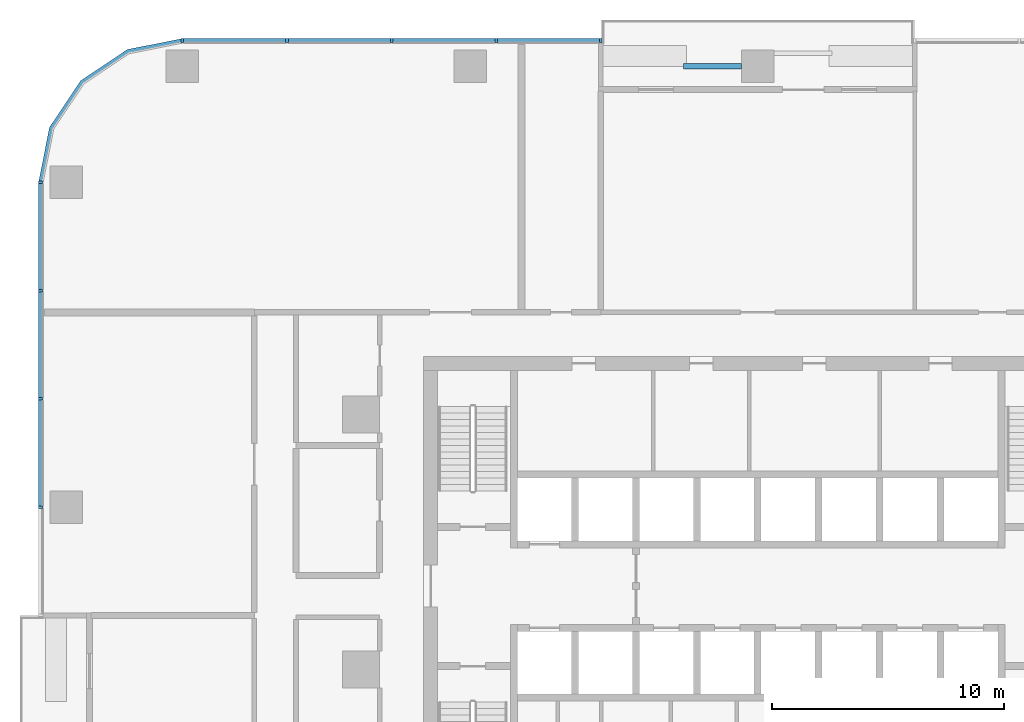
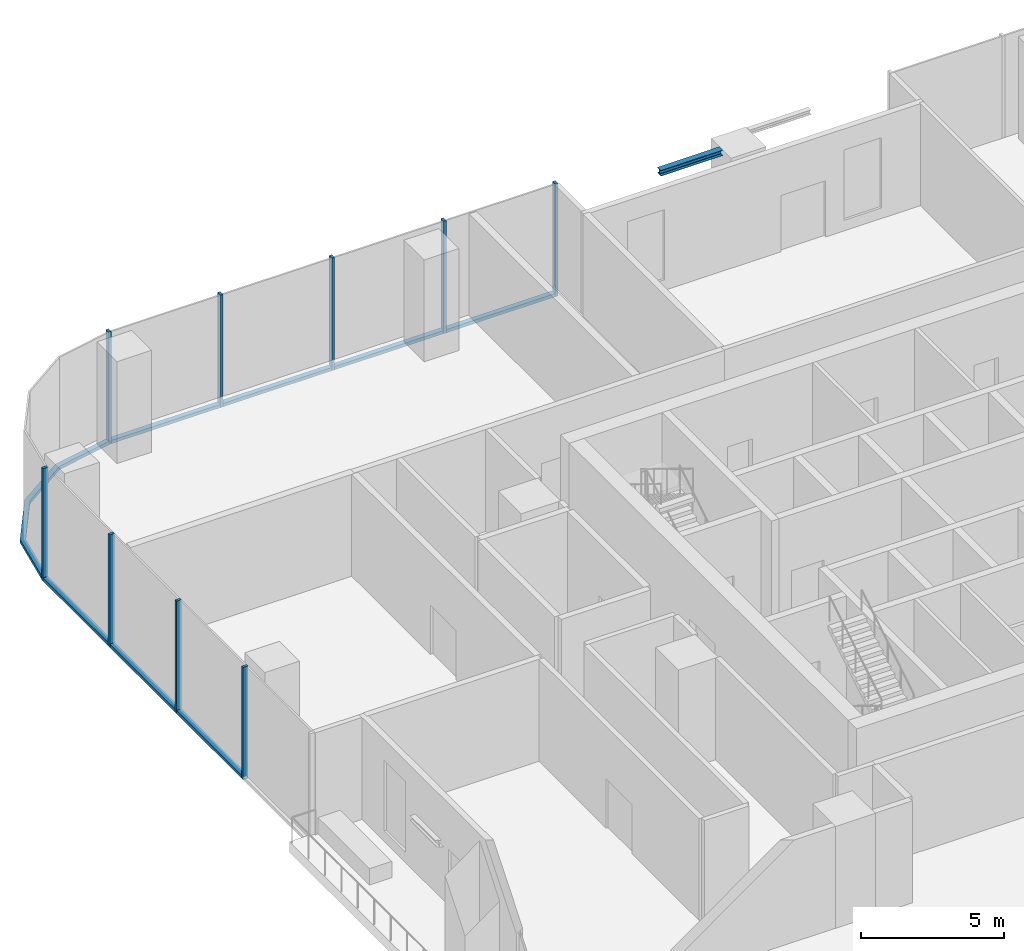
# One storey, part 4 of 14: 17 members, 1 beam, 3 elements without a shape of their own.
"""IFC4 building model written with IfcOpenShell, lengths in metres."""

from ifc_helpers import new_model, si_unit, direction, frame, origin, origin_2d, place, context, subcontext, project, spatial, polyline, rectangle, i_section, outline, extrude, material, material_profile, profile_set, type_object, element, aggregate, save


model = new_model("IFC4")

# Units and contexts
model_context = context("Model", 3, precision=1e-05, world=origin(), true_north=direction((0.0, 1.0)))
body_context = subcontext(model_context, "Body", "Model", "MODEL_VIEW")
ifc_project = project(units=[si_unit("LENGTHUNIT", "METRE"), si_unit("AREAUNIT", "SQUARE_METRE"), si_unit("VOLUMEUNIT", "CUBIC_METRE"), si_unit("PLANEANGLEUNIT", "RADIAN"), si_unit("MASSUNIT", "GRAM", prefix="KILO")], contexts=[model_context])

# Site, building, storey
site_placement = place(None, origin())
site = spatial("IfcSite", under=ifc_project, at=site_placement, CompositionType="ELEMENT")
building_placement = place(site_placement, origin())
building = spatial("IfcBuilding", under=site, at=building_placement, Name="Mopane Tessera Tower", CompositionType="ELEMENT")
storey_placement = place(building_placement, frame((0.0, 0.0, 40.60009765625)))
storey = spatial("IfcBuildingStorey", under=building, at=storey_placement, Name="L07", CompositionType="ELEMENT", Elevation=40.60009765625)

# Curtain wall, members
ifc_material_1 = material(Name="Aluminium frame", Category="aluminium")
curtain_wall_type = type_object("IfcCurtainWallType", Name="Lower tower unitised wall", PredefinedType="NOTDEFINED", material=ifc_material_1)
curtain_wall_1_placement = place(storey_placement, origin())
curtain_wall_1 = element("IfcCurtainWall", 1, at=curtain_wall_1_placement, inside=storey, type_object=curtain_wall_type, Name="e:cw:L07:N:7", PredefinedType="NOTDEFINED")
ifc_material_2 = material(Name="Aluminium frame", Category="aluminium")
ifc_material_profile_1 = material_profile(ifc_material_2, rectangle(XDim=0.110107421875, YDim=0.199951171875, at=origin_2d()))
ifc_profile_set_1 = profile_set([ifc_material_profile_1], Name="Aluminium frame")
member_type_1 = type_object("IfcMemberType", Name="Aluminium mullion 110 x 200", PredefinedType="MULLION", material=ifc_profile_set_1)
member_1_placement = place(storey_placement, frame((-6.763671875, 27.10009765625, -0.4501953125), z_axis=(0.0, 0.0, 1.0), x_axis=(-1.0, 0.0, 0.0)))
member_1 = element("IfcMember", 2, at=member_1_placement, type_object=member_type_1, Name="e:cw:L07:N:7:mu7", PredefinedType="MULLION", context=body_context, shape_type="SweptSolid", body=[
    extrude(rectangle(XDim=0.110107421875, YDim=0.199951171875, at=origin_2d()), origin(), (0.0, 0.0, 1.0), 4.800048828125),
])
member_2_placement = place(storey_placement, frame((-11.272705078125, 27.10009765625, -0.4501953125), z_axis=(0.0, 0.0, 1.0), x_axis=(-1.0, 0.0, 0.0)))
member_2 = element("IfcMember", 3, at=member_2_placement, type_object=member_type_1, Name="e:cw:L07:N:7:mu8", PredefinedType="MULLION", context=body_context, shape_type="SweptSolid", body=[
    extrude(rectangle(XDim=0.110107421875, YDim=0.199951171875, at=origin_2d()), origin(), (0.0, 0.0, 1.0), 4.800048828125),
])
member_3_placement = place(storey_placement, frame((-15.78173828125, 27.10009765625, -0.4501953125), z_axis=(0.0, 0.0, 1.0), x_axis=(-1.0, 0.0, 0.0)))
member_3 = element("IfcMember", 4, at=member_3_placement, type_object=member_type_1, Name="e:cw:L07:N:7:mu9", PredefinedType="MULLION", context=body_context, shape_type="SweptSolid", body=[
    extrude(rectangle(XDim=0.110107421875, YDim=0.199951171875, at=origin_2d()), origin(), (0.0, 0.0, 1.0), 4.800048828125),
])
member_4_placement = place(storey_placement, frame((-20.291015625, 27.10009765625, -0.4501953125), z_axis=(0.0, 0.0, 1.0), x_axis=(-1.0, 0.0, 0.0)))
member_4 = element("IfcMember", 5, at=member_4_placement, type_object=member_type_1, Name="e:cw:L07:N:7:mu10", PredefinedType="MULLION", context=body_context, shape_type="SweptSolid", body=[
    extrude(rectangle(XDim=0.110107421875, YDim=0.199951171875, at=origin_2d()), origin(), (0.0, 0.0, 1.0), 4.800048828125),
])
member_5_placement = place(storey_placement, frame((-24.800048828125, 27.10009765625, -0.4501953125), z_axis=(0.0, 0.0, 1.0), x_axis=(-1.0, 0.0, 0.0)))
member_5 = element("IfcMember", 6, at=member_5_placement, type_object=member_type_1, Name="e:cw:L07:N:7:mu11", PredefinedType="MULLION", context=body_context, shape_type="SweptSolid", body=[
    extrude(rectangle(XDim=0.110107421875, YDim=0.199951171875, at=origin_2d()), origin(), (0.0, 0.0, 1.0), 4.800048828125),
])

curtain_wall_2_placement = place(storey_placement, origin())
curtain_wall_2 = element("IfcCurtainWall", 7, at=curtain_wall_2_placement, inside=storey, type_object=curtain_wall_type, Name="e:cw:L07:W:0", PredefinedType="NOTDEFINED")
member_6_placement = place(storey_placement, frame((-30.89990234375, 21.0, -0.4501953125), z_axis=(0.0, 0.0, 1.0), x_axis=(0.0, -1.0, 0.0)))
member_6 = element("IfcMember", 8, at=member_6_placement, type_object=member_type_1, Name="e:cw:L07:W:0:mu0", PredefinedType="MULLION", context=body_context, shape_type="SweptSolid", body=[
    extrude(rectangle(XDim=0.110107421875, YDim=0.199951171875, at=origin_2d()), origin(), (0.0, 0.0, 1.0), 4.800048828125),
])
member_7_placement = place(storey_placement, frame((-30.89990234375, 16.333251953125, -0.4501953125), z_axis=(0.0, 0.0, 1.0), x_axis=(0.0, -1.0, 0.0)))
member_7 = element("IfcMember", 9, at=member_7_placement, type_object=member_type_1, Name="e:cw:L07:W:0:mu1", PredefinedType="MULLION", context=body_context, shape_type="SweptSolid", body=[
    extrude(rectangle(XDim=0.110107421875, YDim=0.199951171875, at=origin_2d()), origin(), (0.0, 0.0, 1.0), 4.800048828125),
])
member_8_placement = place(storey_placement, frame((-30.89990234375, 11.666748046875, -0.4501953125), z_axis=(0.0, 0.0, 1.0), x_axis=(0.0, -1.0, 0.0)))
member_8 = element("IfcMember", 10, at=member_8_placement, type_object=member_type_1, Name="e:cw:L07:W:0:mu2", PredefinedType="MULLION", context=body_context, shape_type="SweptSolid", body=[
    extrude(rectangle(XDim=0.110107421875, YDim=0.199951171875, at=origin_2d()), origin(), (0.0, 0.0, 1.0), 4.800048828125),
])
member_9_placement = place(storey_placement, frame((-30.89990234375, 7.0, -0.4501953125), z_axis=(0.0, 0.0, 1.0), x_axis=(0.0, -1.0, 0.0)))
member_9 = element("IfcMember", 11, at=member_9_placement, type_object=member_type_1, Name="e:cw:L07:W:0:mu3", PredefinedType="MULLION", context=body_context, shape_type="SweptSolid", body=[
    extrude(rectangle(XDim=0.110107421875, YDim=0.199951171875, at=origin_2d()), origin(), (0.0, 0.0, 1.0), 4.800048828125),
])

# Member
ifc_material_3 = material(Name="Aluminium frame", Category="aluminium")
ifc_material_profile_2 = material_profile(ifc_material_3, rectangle(XDim=0.199951171875, YDim=0.139892578125, at=origin_2d()))
ifc_profile_set_2 = profile_set([ifc_material_profile_2], Name="Aluminium frame")
member_type_2 = type_object("IfcMemberType", Name="Aluminium transom 200 x 140", PredefinedType="USERDEFINED", material=ifc_profile_set_2)
member_10_placement = place(storey_placement, frame((-6.818603515625, 27.10009765625, -0.380126953125), z_axis=(-1.0, 0.0, 0.0), x_axis=(0.0, -1.0, 0.0)))
member_10 = element("IfcMember", 12, at=member_10_placement, type_object=member_type_2, Name="e:cw:L07:N:7:tr7", ObjectType="TRANSOM", PredefinedType="USERDEFINED", context=body_context, shape_type="SweptSolid", body=[
    extrude(rectangle(XDim=0.199951171875, YDim=0.139892578125, at=origin_2d()), origin(), (0.0, 0.0, 1.0), 4.399169921875),
])

member_11_placement = place(storey_placement, frame((-11.32763671875, 27.10009765625, -0.380126953125), z_axis=(-1.0, 0.0, 0.0), x_axis=(0.0, -1.0, 0.0)))
member_11 = element("IfcMember", 13, at=member_11_placement, type_object=member_type_2, Name="e:cw:L07:N:7:tr8", ObjectType="TRANSOM", PredefinedType="USERDEFINED", context=body_context, shape_type="SweptSolid", body=[
    extrude(rectangle(XDim=0.199951171875, YDim=0.139892578125, at=origin_2d()), origin(), (0.0, 0.0, 1.0), 4.399169921875),
])

member_12_placement = place(storey_placement, frame((-15.8369140625, 27.10009765625, -0.380126953125), z_axis=(-1.0, 0.0, 0.0), x_axis=(0.0, -1.0, 0.0)))
member_12 = element("IfcMember", 14, at=member_12_placement, type_object=member_type_2, Name="e:cw:L07:N:7:tr9", ObjectType="TRANSOM", PredefinedType="USERDEFINED", context=body_context, shape_type="SweptSolid", body=[
    extrude(rectangle(XDim=0.199951171875, YDim=0.139892578125, at=origin_2d()), origin(), (0.0, 0.0, 1.0), 4.39892578125),
])

member_13_placement = place(storey_placement, frame((-20.345947265625, 27.10009765625, -0.380126953125), z_axis=(-1.0, 0.0, 0.0), x_axis=(0.0, -1.0, 0.0)))
member_13 = element("IfcMember", 15, at=member_13_placement, type_object=member_type_2, Name="e:cw:L07:N:7:tr10", ObjectType="TRANSOM", PredefinedType="USERDEFINED", context=body_context, shape_type="SweptSolid", body=[
    extrude(rectangle(XDim=0.199951171875, YDim=0.139892578125, at=origin_2d()), origin(), (0.0, 0.0, 1.0), 4.399169921875),
])

aggregate(curtain_wall_1, [member_1, member_2, member_3, member_4, member_5, member_10, member_11, member_12, member_13])

# Curtain wall, member
curtain_wall_3_placement = place(storey_placement, origin())
curtain_wall_3 = element("IfcCurtainWall", 16, at=curtain_wall_3_placement, inside=storey, type_object=curtain_wall_type, Name="e:cw:L07:CN", PredefinedType="NOTDEFINED")
member_14_placement = place(storey_placement, frame((0.0, 0.0, -0.4501953125)))
member_14 = element("IfcMember", 17, at=member_14_placement, type_object=member_type_2, Name="e:cw:L07:CN:tr", ObjectType="TRANSOM", PredefinedType="USERDEFINED", context=body_context, shape_type="SweptSolid", body=[
    extrude(outline(polyline([(-24.800048828125, 27.0), (-27.09619140625, 26.543212890625), (-29.042724609375, 25.24267578125), (-30.34326171875, 23.296142578125), (-30.800048828125, 21.0), (-31.0, 21.0), (-30.528076171875, 23.37255859375), (-29.18408203125, 25.384033203125), (-27.172607421875, 26.72802734375), (-24.800048828125, 27.199951171875), (-24.800048828125, 27.0)])), origin(), (0.0, 0.0, 1.0), 0.14013671875),
])
aggregate(curtain_wall_3, [member_14])

# Member
member_15_placement = place(storey_placement, frame((-30.89990234375, 20.945068359375, -0.380126953125), z_axis=(0.0, -1.0, 0.0), x_axis=(1.0, 0.0, 0.0)))
member_15 = element("IfcMember", 18, at=member_15_placement, type_object=member_type_2, Name="e:cw:L07:W:0:tr0", ObjectType="TRANSOM", PredefinedType="USERDEFINED", context=body_context, shape_type="SweptSolid", body=[
    extrude(rectangle(XDim=0.199951171875, YDim=0.139892578125, at=origin_2d()), origin(), (0.0, 0.0, 1.0), 4.556640625),
])

member_16_placement = place(storey_placement, frame((-30.89990234375, 16.2783203125, -0.380126953125), z_axis=(0.0, -1.0, 0.0), x_axis=(1.0, 0.0, 0.0)))
member_16 = element("IfcMember", 19, at=member_16_placement, type_object=member_type_2, Name="e:cw:L07:W:0:tr1", ObjectType="TRANSOM", PredefinedType="USERDEFINED", context=body_context, shape_type="SweptSolid", body=[
    extrude(rectangle(XDim=0.199951171875, YDim=0.139892578125, at=origin_2d()), origin(), (0.0, 0.0, 1.0), 4.556640625),
])

member_17_placement = place(storey_placement, frame((-30.89990234375, 11.611572265625, -0.380126953125), z_axis=(0.0, -1.0, 0.0), x_axis=(1.0, 0.0, 0.0)))
member_17 = element("IfcMember", 20, at=member_17_placement, type_object=member_type_2, Name="e:cw:L07:W:0:tr2", ObjectType="TRANSOM", PredefinedType="USERDEFINED", context=body_context, shape_type="SweptSolid", body=[
    extrude(rectangle(XDim=0.199951171875, YDim=0.139892578125, at=origin_2d()), origin(), (0.0, 0.0, 1.0), 4.556640625),
])

aggregate(curtain_wall_2, [member_6, member_7, member_8, member_9, member_15, member_16, member_17])

# Beam
ifc_material_4 = material(Name="Structural steel S460", Category="steel")
ifc_material_profile_3 = material_profile(ifc_material_4, i_section(OverallWidth=0.239990234375, OverallDepth=0.239990234375, WebThickness=0.010009765625, FlangeThickness=0.01708984375, FilletRadius=0.02099609375, at=origin_2d()))
ifc_profile_set_3 = profile_set([ifc_material_profile_3], Name="Structural steel S460")
beam_type = type_object("IfcBeamType", Name="Terrace spandrel beam HE 240 B", PredefinedType="SPANDREL", material=ifc_profile_set_3)
beam_placement = place(storey_placement, frame((-0.702880859375, 26.0, 4.22998046875), z_axis=(-1.0, 0.0, 0.0), x_axis=(0.0, -1.0, 0.0)))
element("IfcBeam", 21, at=beam_placement, inside=storey, type_object=beam_type, Name="Terrace spandrel beam N2 L08", PredefinedType="SPANDREL", context=body_context, shape_type="SweptSolid", body=[
    extrude(i_section(OverallWidth=0.239990234375, OverallDepth=0.239990234375, WebThickness=0.010009765625, FlangeThickness=0.01708984375, FilletRadius=0.02099609375, at=origin_2d()), origin(), (0.0, 0.0, 1.0), 2.5),
])

save(model, "model.ifc")
